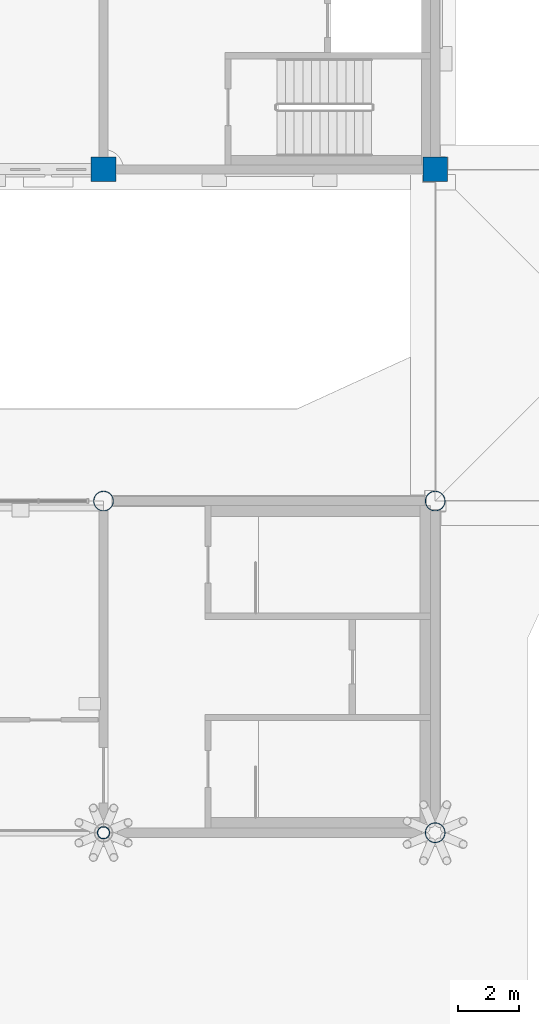
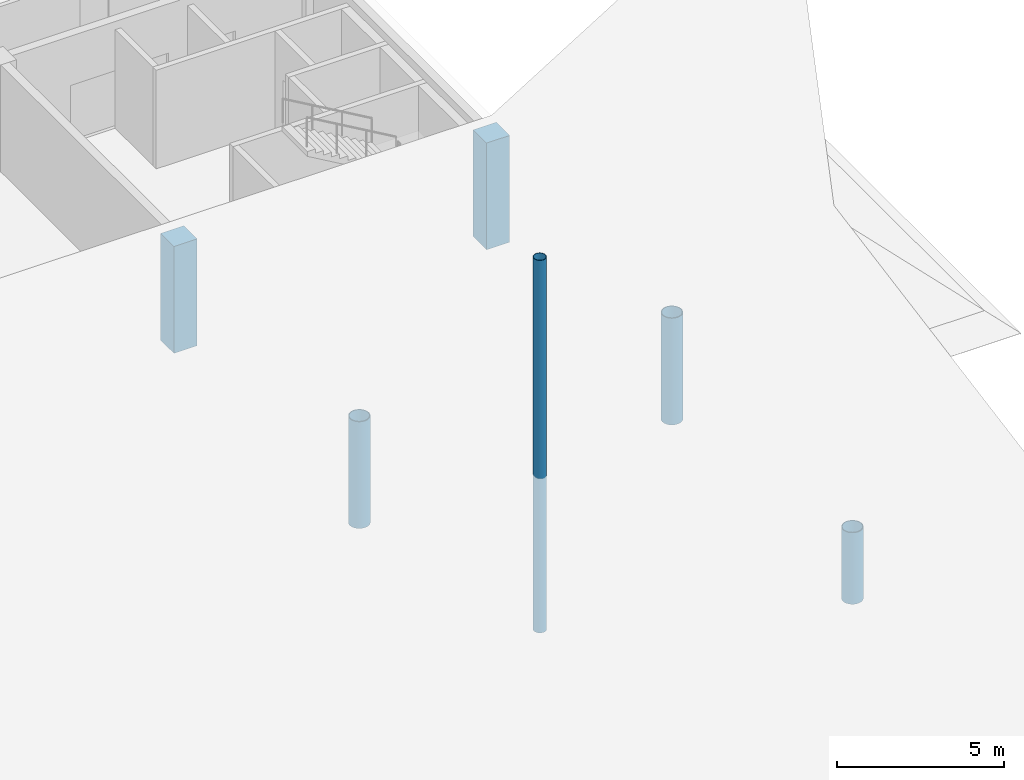
# One storey, part 3 of 56: 6 columns.
"""IFC4 building model written with IfcOpenShell, lengths in metres."""

from ifc_helpers import new_model, si_unit, direction, frame, origin, origin_2d, place, context, subcontext, project, spatial, rectangle, hollow_circle, extrude, material, material_profile, profile_set, type_object, element, save


model = new_model("IFC4")

# Units and contexts
model_context = context("Model", 3, precision=1e-05, world=origin(), true_north=direction((0.0, 1.0)))
body_context = subcontext(model_context, "Body", "Model", "MODEL_VIEW")
ifc_project = project(units=[si_unit("LENGTHUNIT", "METRE"), si_unit("AREAUNIT", "SQUARE_METRE"), si_unit("VOLUMEUNIT", "CUBIC_METRE"), si_unit("PLANEANGLEUNIT", "RADIAN"), si_unit("MASSUNIT", "GRAM", prefix="KILO")], contexts=[model_context])

# Site, building, storey
site_placement = place(None, origin())
site = spatial("IfcSite", under=ifc_project, at=site_placement, CompositionType="ELEMENT")
building_placement = place(site_placement, origin())
building = spatial("IfcBuilding", under=site, at=building_placement, Name="Magnolia Steps Interchange", CompositionType="ELEMENT")
storey_placement = place(building_placement, frame((0.0, 0.0, 8.699951171875)))
storey = spatial("IfcBuildingStorey", under=building, at=storey_placement, Name="L02", CompositionType="ELEMENT", Elevation=8.699951171875)

# Columns
ifc_material_1 = material(Name="Steel Q355B", Category="steel")
ifc_material_profile_1 = material_profile(ifc_material_1, hollow_circle(Radius=0.202880859375, WallThickness=0.01611328125, at=origin_2d()), Name="CHS406x16")
ifc_profile_set_1 = profile_set([ifc_material_profile_1], Name="Steel Q355B")
column_type_1 = type_object("IfcColumnType", Name="Mast CHS406x16", PredefinedType="COLUMN", material=ifc_profile_set_1)
column_1_placement = place(storey_placement, frame((107.199951171875, 74.800048828125, 2.645751953125), z_axis=(0.0, 0.0, 1.0), x_axis=(1.0, 0.0, 0.0)))
element("IfcColumn", 1, at=column_1_placement, inside=storey, type_object=column_type_1, Name="Mast SP-H-NE", PredefinedType="COLUMN", context=body_context, shape_type="SweptSolid", body=[
    extrude(hollow_circle(Radius=0.202880859375, WallThickness=0.01611328125, at=origin_2d()), origin(), (0.0, 0.0, 1.0), 13.60546875),
])
ifc_material_2 = material(Name="Concrete C40", Category="concrete")
ifc_material_profile_2 = material_profile(ifc_material_2, rectangle(XDim=0.800048828125, YDim=0.800048828125, at=origin_2d()), Name="RC800x800")
ifc_profile_set_2 = profile_set([ifc_material_profile_2], Name="Concrete C40")
column_type_2 = type_object("IfcColumnType", Name="RC column 800x800", PredefinedType="COLUMN", material=ifc_profile_set_2)
for number, where, z_axis, x_axis, name in (
    (2, (107.199951171875, 96.39990234375, 0.0), (0.0, 0.0, 1.0), (1.0, 0.0, 0.0), "Column OPE-10I L02"),
    (3, (118.0, 96.39990234375, 0.0), (0.0, 0.0, 1.0), (1.0, 0.0, 0.0), "Column OPE-11I L02"),
):
    element("IfcColumn", number, at=place(storey_placement, frame(where, z_axis=z_axis, x_axis=x_axis)), inside=storey, type_object=column_type_2, Name=name, PredefinedType="COLUMN", context=body_context, shape_type="SweptSolid", body=[
        extrude(rectangle(XDim=0.800048828125, YDim=0.800048828125, at=origin_2d()), origin(), (0.0, 0.0, 1.0), 3.900146484375),
    ])
ifc_material_3 = material(Name="Steel Q355B", Category="steel")
ifc_material_profile_3 = material_profile(ifc_material_3, hollow_circle(Radius=0.330078125, WallThickness=0.02490234375, at=origin_2d()), Name="CHS660x25")
ifc_profile_set_3 = profile_set([ifc_material_profile_3], Name="Steel Q355B")
column_type_3 = type_object("IfcColumnType", Name="Tree trunk CHS660x25", PredefinedType="COLUMN", material=ifc_profile_set_3)
column_2_placement = place(storey_placement, frame((107.199951171875, 85.60009765625, 0.0), z_axis=(0.0, 0.0, 1.0), x_axis=(1.0, 0.0, 0.0)))
element("IfcColumn", 4, at=column_2_placement, inside=storey, type_object=column_type_3, Name="Tree trunk TH06E", PredefinedType="COLUMN", context=body_context, shape_type="SweptSolid", body=[
    extrude(hollow_circle(Radius=0.330078125, WallThickness=0.02490234375, at=origin_2d()), origin(), (0.0, 0.0, 1.0), 3.900146484375),
])
column_3_placement = place(storey_placement, frame((118.0, 74.800048828125, 0.0), z_axis=(0.0, 0.0, 1.0), x_axis=(1.0, 0.0, 0.0)))
element("IfcColumn", 5, at=column_3_placement, inside=storey, type_object=column_type_3, Name="Tree trunk TH07D", PredefinedType="COLUMN", context=body_context, shape_type="SweptSolid", body=[
    extrude(hollow_circle(Radius=0.330078125, WallThickness=0.02490234375, at=origin_2d()), origin(), (0.0, 0.0, 1.0), 2.61572265625),
])
column_4_placement = place(storey_placement, frame((118.0, 85.60009765625, 0.0), z_axis=(0.0, 0.0, 1.0), x_axis=(1.0, 0.0, 0.0)))
element("IfcColumn", 6, at=column_4_placement, inside=storey, type_object=column_type_3, Name="Tree trunk TH07E", PredefinedType="COLUMN", context=body_context, shape_type="SweptSolid", body=[
    extrude(hollow_circle(Radius=0.330078125, WallThickness=0.02490234375, at=origin_2d()), origin(), (0.0, 0.0, 1.0), 3.900146484375),
])

save(model, "model.ifc")
